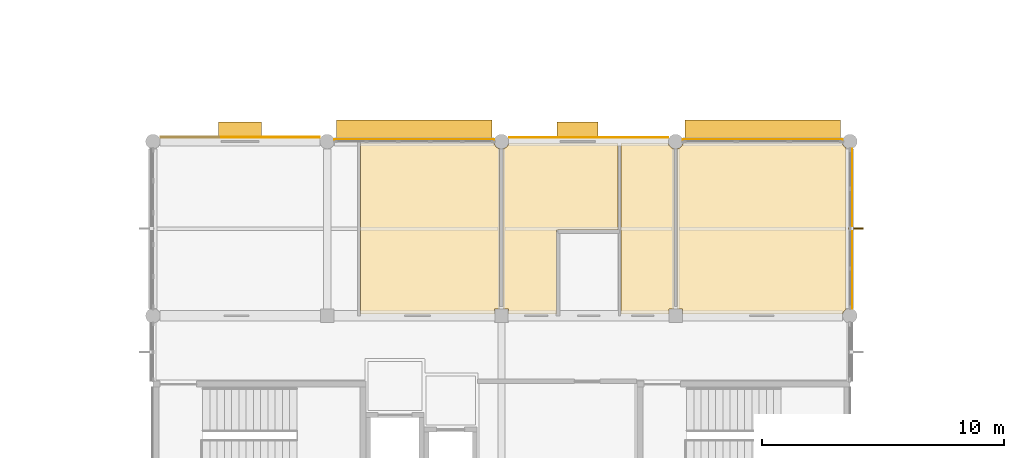
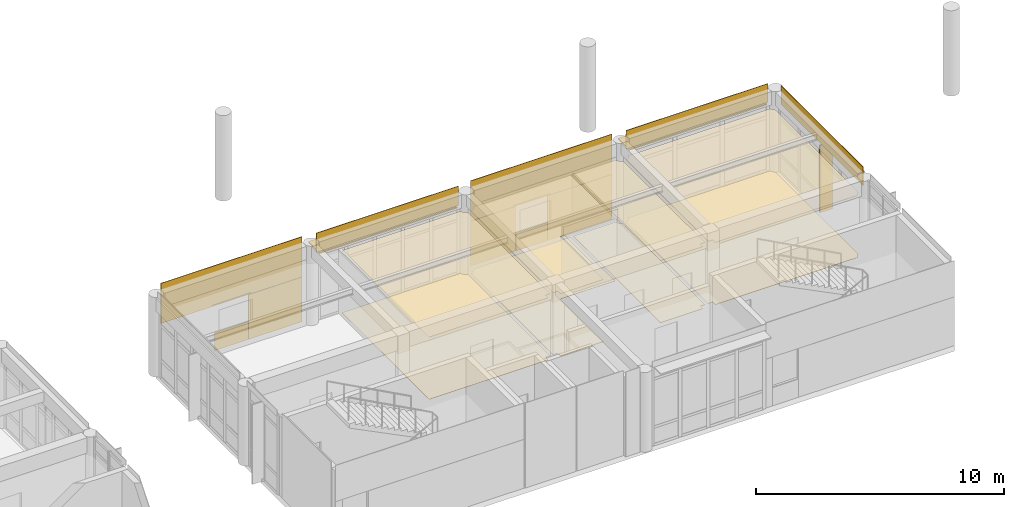
# One storey, part 29 of 29: 18 coverings, 5 shading devices.
"""IFC4 building model written with IfcOpenShell, lengths in metres."""

import ifcopenshell
import ifcopenshell.guid

model = None  # the IFC model being written
_history = None  # IfcOwnerHistory: only IFC2X3 demands one
_inside = {}  # id of a spatial element -> (the spatial element, [elements in it])
_under = {}  # id of a project, library or spatial element -> (it, [spatial elements below it])
_declared = {}  # id of a project -> (the project, [libraries it declares])
_typed = {}  # id of a type object -> (the type object, [elements of that type])
_made_of = {}  # id of a material, layer set ... -> (it, [elements and type objects made of it])


def new_model(schema):
    """Start an empty IFC model of exactly this schema.

    Asked for "IFC4X3", IfcOpenShell would pick the latest addendum, in which some entities
    have other attributes; the version numbers below select the first issue.
    IFC2X3 requires an IfcOwnerHistory on every rooted entity: one is made here for all.
    """
    global model, _history
    if schema == "IFC4X3":
        model = ifcopenshell.file(schema_version=(4, 3, 0, 0))
    else:
        model = ifcopenshell.file(schema=schema)
    _inside.clear()
    _under.clear()
    _declared.clear()
    _typed.clear()
    _made_of.clear()
    _history = None
    if model.schema == "IFC2X3":
        org = make("IfcOrganization", Name="unknown")
        user = make(
            "IfcPersonAndOrganization",
            ThePerson=make("IfcPerson", FamilyName="unknown"),
            TheOrganization=org,
        )
        app = make(
            "IfcApplication",
            ApplicationDeveloper=org,
            Version="unknown",
            ApplicationFullName="unknown",
            ApplicationIdentifier="unknown",
        )
        _history = make(
            "IfcOwnerHistory",
            OwningUser=user,
            OwningApplication=app,
            ChangeAction="ADDED",
            CreationDate=0,
        )
    return model


def make(cls, **values):
    """One entity of the class cls with the attributes given. An attribute that is None is left unset."""
    return model.create_entity(
        cls, **{name: value for name, value in values.items() if value is not None}
    )


def rooted(cls, **values):
    """An entity with a GlobalId (a new one), such as an element, a storey or a relation."""
    return make(cls, GlobalId=ifcopenshell.guid.new(), OwnerHistory=_history, **values)


def si_unit(unit_type, name, prefix=None):
    """IfcSIUnit, for example si_unit("LENGTHUNIT", "METRE", prefix="MILLI")."""
    return make("IfcSIUnit", UnitType=unit_type, Prefix=prefix, Name=name)


def assignment(units):
    """IfcUnitAssignment: the units of a project."""
    return None if units is None else make("IfcUnitAssignment", Units=units)


def point(xyz):
    """IfcCartesianPoint."""
    return None if xyz is None else make("IfcCartesianPoint", Coordinates=xyz)


def direction(xyz):
    """IfcDirection."""
    return None if xyz is None else make("IfcDirection", DirectionRatios=xyz)


def frame(location, z_axis=None, x_axis=None):
    """IfcAxis2Placement3D, a coordinate frame: its origin and axes. An axis left out is left unset."""
    return make(
        "IfcAxis2Placement3D",
        Location=point(location),
        Axis=direction(z_axis),
        RefDirection=direction(x_axis),
    )


def frame_2d(location, x_axis=None):
    """IfcAxis2Placement2D, a coordinate frame in the plane: its origin and x axis."""
    return make(
        "IfcAxis2Placement2D", Location=point(location), RefDirection=direction(x_axis)
    )


def origin():
    """The frame at (0, 0, 0) with its axes left unset."""
    return frame((0.0, 0.0, 0.0))


def origin_2d():
    """The frame at (0, 0) in the plane with its x axis left unset."""
    return frame_2d((0.0, 0.0))


def place(relative_to, where):
    """IfcLocalPlacement: puts the frame where relative to a parent placement (None: the world)."""
    return make(
        "IfcLocalPlacement", PlacementRelTo=relative_to, RelativePlacement=where
    )


def context(
    kind, dimensions, precision=None, world=None, true_north=None, identifier=None
):
    """IfcGeometricRepresentationContext, for example the 3D "Model" context."""
    return make(
        "IfcGeometricRepresentationContext",
        ContextIdentifier=identifier,
        ContextType=kind,
        CoordinateSpaceDimension=dimensions,
        Precision=precision,
        WorldCoordinateSystem=world,
        TrueNorth=true_north,
    )


def subcontext(parent, identifier, kind, view, scale=None):
    """IfcGeometricRepresentationSubContext, for example "Body" below "Model"."""
    return make(
        "IfcGeometricRepresentationSubContext",
        ContextIdentifier=identifier,
        ContextType=kind,
        ParentContext=parent,
        TargetScale=scale,
        TargetView=view,
    )


def project(units=None, contexts=None):
    """IfcProject with its units and contexts."""
    return rooted(
        "IfcProject",
        Name="project",
        RepresentationContexts=contexts,
        UnitsInContext=assignment(units),
    )


def spatial(cls, under=None, at=None, **own):
    """A site, building, storey or space (cls), placed at a placement, below another one or the project."""
    s = rooted(cls, ObjectPlacement=at, **own)
    if under is not None:
        _under.setdefault(under.id(), (under, []))[1].append(s)
    return s


def polyline(points):
    """IfcPolyline through the points."""
    return make("IfcPolyline", Points=[point(p) for p in points])


def profile(cls, at=None, kind="AREA", **sizes):
    """A parametric profile (cls). Its sizes go by their IFC names, for example OverallWidth=200.0."""
    return make(cls, ProfileType=kind, Position=at, **sizes)


def rectangle(**sizes):
    """IfcRectangleProfileDef."""
    return profile("IfcRectangleProfileDef", **sizes)


def outline(outer, holes=None, kind="AREA"):
    """IfcArbitraryClosedProfileDef: a profile drawn as a closed curve; with holes, ...WithVoids."""
    if holes is None:
        return make("IfcArbitraryClosedProfileDef", ProfileType=kind, OuterCurve=outer)
    return make(
        "IfcArbitraryProfileDefWithVoids",
        ProfileType=kind,
        OuterCurve=outer,
        InnerCurves=holes,
    )


def extrude(swept, where, along, depth):
    """IfcExtrudedAreaSolid: the profile swept, set in the frame where, extruded along a direction by depth."""
    return make(
        "IfcExtrudedAreaSolid",
        SweptArea=swept,
        Position=where,
        ExtrudedDirection=direction(along),
        Depth=depth,
    )


def shape(context_of_items, identifier, shape_type, items):
    """IfcShapeRepresentation: the items that make up one representation, for example the "Body"."""
    return make(
        "IfcShapeRepresentation",
        ContextOfItems=context_of_items,
        RepresentationIdentifier=identifier,
        RepresentationType=shape_type,
        Items=items,
    )


def material(Name=None, Category=None):
    """IfcMaterial."""
    return make("IfcMaterial", Name=Name, Category=Category)


def layer(
    of_material, thickness, ventilated=None, Name=None, Category=None, Priority=None
):
    """IfcMaterialLayer: one layer of a wall or slab, of a material (None: an air gap)."""
    return make(
        "IfcMaterialLayer",
        Material=of_material,
        LayerThickness=thickness,
        IsVentilated=ventilated,
        Name=Name,
        Category=Category,
        Priority=Priority,
    )


def layer_set(layers, Name=None):
    """IfcMaterialLayerSet."""
    return make("IfcMaterialLayerSet", MaterialLayers=layers, LayerSetName=Name)


def made_of(thing, what):
    """Note that an element or type object is made of a material, layer set ...; save() writes the relation."""
    if what is not None:
        _made_of.setdefault(what.id(), (what, []))[1].append(thing)
    return thing


def type_object(cls, material=None, **own):
    """A type object (cls), such as IfcWallType, which elements share."""
    return made_of(rooted(cls, **own), material)


def element(
    cls,
    number,
    at=None,
    inside=None,
    cuts=None,
    type_object=None,
    material=None,
    context=None,
    identifier="Body",
    shape_type=None,
    held_by="IfcProductDefinitionShape",
    body=None,
    shapes=None,
    **own,
):
    """One element of the class cls, such as IfcWall. Its Tag is "e" and its number.

    at: its placement. inside: the storey or other place that contains it. cuts: it is an
    opening in that element (IfcRelVoidsElement). A single representation is given by context,
    identifier, shape_type and body (its items); several are given by shapes. held_by: the class
    of the entity that holds the representations. save() writes the other relations.
    """
    e = rooted(cls, Tag="e%d" % number, ObjectPlacement=at, **own)
    if body is not None:
        shapes = [shape(context, identifier, shape_type, body)]
    if shapes is not None:
        e.Representation = make(held_by, Representations=shapes)
    if inside is not None:
        _inside.setdefault(inside.id(), (inside, []))[1].append(e)
    if cuts is not None:
        rooted(
            "IfcRelVoidsElement", RelatingBuildingElement=cuts, RelatedOpeningElement=e
        )
    if type_object is not None:
        _typed.setdefault(type_object.id(), (type_object, []))[1].append(e)
    return made_of(e, material)


def aggregate(whole, parts):
    """IfcRelAggregates: a whole, such as a stair, and the parts it consists of."""
    return rooted("IfcRelAggregates", RelatingObject=whole, RelatedObjects=parts)


def save(model, path):
    """Write the relations noted so far, then the file.

    IfcRelAggregates (storeys below a building ...), IfcRelContainedInSpatialStructure (elements
    in a storey), IfcRelDefinesByType, IfcRelAssociatesMaterial and IfcRelDeclares: one each for
    every whole, place, type object, material and project.
    """
    for whole, parts in _under.values():
        aggregate(whole, parts)
    for where, things in _inside.values():
        rooted(
            "IfcRelContainedInSpatialStructure",
            RelatedElements=things,
            RelatingStructure=where,
        )
    for kind, things in _typed.values():
        rooted("IfcRelDefinesByType", RelatedObjects=things, RelatingType=kind)
    for what, things in _made_of.values():
        rooted("IfcRelAssociatesMaterial", RelatedObjects=things, RelatingMaterial=what)
    for by, libraries in _declared.values():
        rooted("IfcRelDeclares", RelatingContext=by, RelatedDefinitions=libraries)
    model.write(path)


model = new_model("IFC4")

# Units and contexts
model_context = context("Model", 3, precision=1e-05, world=origin(), true_north=direction((0.0, 1.0)))
body_context = subcontext(model_context, "Body", "Model", "MODEL_VIEW")
ifc_project = project(units=[si_unit("LENGTHUNIT", "METRE"), si_unit("AREAUNIT", "SQUARE_METRE"), si_unit("VOLUMEUNIT", "CUBIC_METRE"), si_unit("PLANEANGLEUNIT", "RADIAN"), si_unit("MASSUNIT", "GRAM", prefix="KILO")], contexts=[model_context])

# Site, building, storey
site_placement = place(None, origin())
site = spatial("IfcSite", under=ifc_project, at=site_placement, CompositionType="ELEMENT")
building_placement = place(site_placement, origin())
building = spatial("IfcBuilding", under=site, at=building_placement, Name="Namkhue Oval Health Centre", CompositionType="ELEMENT")
storey_placement = place(building_placement, frame((0.0, 0.0, 18.0)))
storey = spatial("IfcBuildingStorey", under=building, at=storey_placement, Name="L04", CompositionType="ELEMENT", Elevation=18.0)

# Coverings
ifc_material_1 = material(Name="Acoustic mineral-fibre cleanroom ceiling", Category="gypsum")
ifc_layer_1 = layer(ifc_material_1, 0.02001953125)
ifc_layer_set_1 = layer_set([ifc_layer_1], Name="Acoustic mineral-fibre cleanroom ceiling")
covering_type_1 = type_object("IfcCoveringType", Name="ACOUSTIC CLEANROOM CEILING 20", PredefinedType="CEILING", material=ifc_layer_set_1)
covering_1_placement = place(storey_placement, frame((0.0, 0.0, 3.050048828125)))
element("IfcCovering", 1, at=covering_1_placement, inside=storey, type_object=covering_type_1, Name="Acoustic Ceiling L04-302 On Call Duty Room", PredefinedType="CEILING", context=body_context, shape_type="SweptSolid", body=[
    extrude(outline(polyline([(102.18310546875, 97.280029296875), (102.18310546875, 104.31494140625), (107.702392578125, 104.31494140625), (107.7314453125, 104.2451171875), (107.78076171875, 104.180908203125), (107.844970703125, 104.131591796875), (107.919921875, 104.1005859375), (107.929931640625, 104.09912109375), (107.929931640625, 97.485107421875), (107.715087890625, 97.485107421875), (107.715087890625, 97.280029296875), (102.18310546875, 97.280029296875)])), origin(), (0.0, 0.0, 1.0), 0.02001953125),
])
covering_2_placement = place(storey_placement, frame((0.0, 0.0, 3.050048828125)))
element("IfcCovering", 2, at=covering_2_placement, inside=storey, type_object=covering_type_1, Name="Acoustic Ceiling L04-303 Staff Pantry and Clean Utility", PredefinedType="CEILING", context=body_context, shape_type="SweptSolid", body=[
    extrude(outline(polyline([(112.820068359375, 104.31494140625), (112.820068359375, 100.739990234375), (110.280029296875, 100.739990234375), (110.280029296875, 97.280029296875), (108.284912109375, 97.280029296875), (108.284912109375, 97.485107421875), (108.070068359375, 97.485107421875), (108.070068359375, 104.09912109375), (108.080078125, 104.1005859375), (108.155029296875, 104.131591796875), (108.21923828125, 104.180908203125), (108.2685546875, 104.2451171875), (108.297607421875, 104.31494140625), (112.820068359375, 104.31494140625)])), origin(), (0.0, 0.0, 1.0), 0.02001953125),
])
covering_3_placement = place(storey_placement, frame((0.0, 0.0, 3.050048828125)))
element("IfcCovering", 3, at=covering_3_placement, inside=storey, type_object=covering_type_1, Name="Acoustic Ceiling L04-305 Staff Washroom", PredefinedType="CEILING", context=body_context, shape_type="SweptSolid", body=[
    extrude(outline(polyline([(112.93994140625, 97.280029296875), (112.93994140625, 104.31494140625), (114.902587890625, 104.31494140625), (114.931396484375, 104.2451171875), (114.980712890625, 104.180908203125), (115.044921875, 104.131591796875), (115.119873046875, 104.1005859375), (115.1298828125, 104.09912109375), (115.1298828125, 97.485107421875), (114.9150390625, 97.485107421875), (114.9150390625, 97.280029296875), (112.93994140625, 97.280029296875)])), origin(), (0.0, 0.0, 1.0), 0.02001953125),
])
covering_4_placement = place(storey_placement, frame((0.0, 0.0, 3.050048828125)))
element("IfcCovering", 4, at=covering_4_placement, inside=storey, type_object=covering_type_1, Name="Acoustic Ceiling L04-306 Health Education Terrace Lounge", PredefinedType="CEILING", context=body_context, shape_type="SweptSolid", body=[
    extrude(outline(polyline([(115.485107421875, 97.280029296875), (115.485107421875, 97.485107421875), (115.27001953125, 97.485107421875), (115.27001953125, 104.09912109375), (115.2802734375, 104.1005859375), (115.35498046875, 104.131591796875), (115.419189453125, 104.180908203125), (115.468505859375, 104.2451171875), (115.49755859375, 104.31494140625), (122.1025390625, 104.31494140625), (122.131591796875, 104.2451171875), (122.180908203125, 104.180908203125), (122.2451171875, 104.131591796875), (122.2451171875, 97.468505859375), (122.180908203125, 97.419189453125), (122.131591796875, 97.35498046875), (122.1005859375, 97.280029296875), (115.485107421875, 97.280029296875)])), origin(), (0.0, 0.0, 1.0), 0.02001953125),
])
ifc_material_2 = material(Name="Homogeneous anti-bacterial clinical vinyl flooring", Category="plastic")
ifc_layer_2 = layer(ifc_material_2, 0.014892578125)
ifc_layer_set_2 = layer_set([ifc_layer_2], Name="Homogeneous anti-bacterial clinical vinyl flooring")
covering_type_2 = type_object("IfcCoveringType", Name="CLINICAL ANTIBACTERIAL VINYL FLOORING 15", PredefinedType="FLOORING", material=ifc_layer_set_2)
covering_5_placement = place(storey_placement, origin())
element("IfcCovering", 5, at=covering_5_placement, inside=storey, type_object=covering_type_2, Name="Clinical Flooring L04-302 On Call Duty Room", PredefinedType="FLOORING", context=body_context, shape_type="SweptSolid", body=[
    extrude(outline(polyline([(102.18310546875, 97.280029296875), (102.18310546875, 104.31494140625), (107.702392578125, 104.31494140625), (107.7314453125, 104.2451171875), (107.78076171875, 104.180908203125), (107.844970703125, 104.131591796875), (107.919921875, 104.1005859375), (107.929931640625, 104.09912109375), (107.929931640625, 97.485107421875), (107.715087890625, 97.485107421875), (107.715087890625, 97.280029296875), (102.18310546875, 97.280029296875)])), origin(), (0.0, 0.0, 1.0), 0.014892578125),
])
covering_6_placement = place(storey_placement, origin())
element("IfcCovering", 6, at=covering_6_placement, inside=storey, type_object=covering_type_2, Name="Clinical Flooring L04-303 Staff Pantry and Clean Utility", PredefinedType="FLOORING", context=body_context, shape_type="SweptSolid", body=[
    extrude(outline(polyline([(112.820068359375, 104.31494140625), (112.820068359375, 100.739990234375), (110.280029296875, 100.739990234375), (110.280029296875, 97.280029296875), (108.284912109375, 97.280029296875), (108.284912109375, 97.485107421875), (108.070068359375, 97.485107421875), (108.070068359375, 104.09912109375), (108.080078125, 104.1005859375), (108.155029296875, 104.131591796875), (108.21923828125, 104.180908203125), (108.2685546875, 104.2451171875), (108.297607421875, 104.31494140625), (112.820068359375, 104.31494140625)])), origin(), (0.0, 0.0, 1.0), 0.014892578125),
])
covering_7_placement = place(storey_placement, origin())
element("IfcCovering", 7, at=covering_7_placement, inside=storey, type_object=covering_type_2, Name="Clinical Flooring L04-305 Staff Washroom", PredefinedType="FLOORING", context=body_context, shape_type="SweptSolid", body=[
    extrude(outline(polyline([(112.93994140625, 97.280029296875), (112.93994140625, 104.31494140625), (114.902587890625, 104.31494140625), (114.931396484375, 104.2451171875), (114.980712890625, 104.180908203125), (115.044921875, 104.131591796875), (115.119873046875, 104.1005859375), (115.1298828125, 104.09912109375), (115.1298828125, 97.485107421875), (114.9150390625, 97.485107421875), (114.9150390625, 97.280029296875), (112.93994140625, 97.280029296875)])), origin(), (0.0, 0.0, 1.0), 0.014892578125),
])
covering_8_placement = place(storey_placement, origin())
element("IfcCovering", 8, at=covering_8_placement, inside=storey, type_object=covering_type_2, Name="Clinical Flooring L04-306 Health Education Terrace Lounge", PredefinedType="FLOORING", context=body_context, shape_type="SweptSolid", body=[
    extrude(outline(polyline([(115.485107421875, 97.280029296875), (115.485107421875, 97.485107421875), (115.27001953125, 97.485107421875), (115.27001953125, 104.09912109375), (115.2802734375, 104.1005859375), (115.35498046875, 104.131591796875), (115.419189453125, 104.180908203125), (115.468505859375, 104.2451171875), (115.49755859375, 104.31494140625), (122.1025390625, 104.31494140625), (122.131591796875, 104.2451171875), (122.180908203125, 104.180908203125), (122.2451171875, 104.131591796875), (122.2451171875, 97.468505859375), (122.180908203125, 97.419189453125), (122.131591796875, 97.35498046875), (122.1005859375, 97.280029296875), (115.485107421875, 97.280029296875)])), origin(), (0.0, 0.0, 1.0), 0.014892578125),
])

# Shading devices
ifc_material_3 = material(Name="Anodised aluminium EN AW-6063 T6", Category="aluminium")
ifc_layer_3 = layer(ifc_material_3, 0.06005859375)
ifc_layer_set_3 = layer_set([ifc_layer_3], Name="Anodised aluminium EN AW-6063 T6")
shading_device_type_1 = type_object("IfcShadingDeviceType", Name="MONSOON SUN LOUVRE 900", PredefinedType="JALOUSIE", material=ifc_layer_set_3)
for number, where, z_axis, x_axis, name in (
    (9, (118.800048828125, 104.85009765625, 3.23193359375), (0.0, 0.0, 1.0), (-1.0, 0.0, 0.0), "Volume V3 L04 Horizontal Monsoon Sun Louvre 166"),
    (10, (104.39990234375, 104.85009765625, 3.195068359375), (0.0, 0.0, 1.0), (-1.0, 0.0, 0.0), "Volume V3 L04 Horizontal Monsoon Sun Louvre 168"),
):
    element("IfcShadingDevice", number, at=place(storey_placement, frame(where, z_axis=z_axis, x_axis=x_axis)), inside=storey, type_object=shading_device_type_1, Name=name, PredefinedType="JALOUSIE", context=body_context, shape_type="SweptSolid", body=[
        extrude(rectangle(XDim=6.409912109375, YDim=0.89990234375, at=origin_2d()), origin(), (0.0, 0.0, 1.0), 0.06005859375),
    ])
ifc_layer_4 = layer(ifc_material_3, 0.050048828125)
ifc_layer_set_4 = layer_set([ifc_layer_4], Name="Anodised aluminium EN AW-6063 T6")
shading_device_type_2 = type_object("IfcShadingDeviceType", Name="STORM SHUTTER LOUVRE 650", PredefinedType="SHUTTER", material=ifc_layer_set_4)
shading_device_1_placement = place(storey_placement, frame((111.14990234375, 104.875, 2.219970703125), z_axis=(0.0, 0.0, 1.0), x_axis=(-1.0, 0.0, 0.0)))
element("IfcShadingDevice", 11, at=shading_device_1_placement, inside=storey, type_object=shading_device_type_2, Name="Volume V3 L04 Window Monsoon Louvre 167", PredefinedType="SHUTTER", context=body_context, shape_type="SweptSolid", body=[
    extrude(rectangle(XDim=1.68994140625, YDim=0.64990234375, at=origin_2d()), origin(), (0.0, 0.0, 1.0), 0.06005859375),
])
shading_device_2_placement = place(storey_placement, frame((97.199951171875, 104.8798828125, 2.219970703125), z_axis=(0.0, 0.0, 1.0), x_axis=(-1.0, 0.0, 0.0)))
element("IfcShadingDevice", 12, at=shading_device_2_placement, inside=storey, type_object=shading_device_type_2, Name="Volume V3 L04 Window Monsoon Louvre 169", PredefinedType="SHUTTER", context=body_context, shape_type="SweptSolid", body=[
    extrude(rectangle(XDim=1.7900390625, YDim=0.64990234375, at=origin_2d()), origin(), (0.0, 0.0, 1.0), 0.06005859375),
])
shading_device_type_3 = type_object("IfcShadingDeviceType", Name="VERTICAL SOLAR FIN 600", PredefinedType="USERDEFINED", material=ifc_material_3)
shading_device_3_placement = place(storey_placement, frame((122.659912109375, 100.800048828125, 0.0), z_axis=(0.0, 0.0, 1.0), x_axis=(1.0, 0.0, 0.0)))
element("IfcShadingDevice", 13, at=shading_device_3_placement, inside=storey, type_object=shading_device_type_3, Name="Volume V3 L04 Extruded Aluminium Solar Fin 165", ObjectType="SOLAR FIN", PredefinedType="USERDEFINED", context=body_context, shape_type="SweptSolid", body=[
    extrude(rectangle(XDim=0.60009765625, YDim=0.06005859375, at=origin_2d()), origin(), (0.0, 0.0, 1.0), 3.302001953125),
])

# Coverings
ifc_material_4 = material(Name="White glass-fibre reinforced concrete GRC rainscreen cladding", Category="concrete")
ifc_layer_5 = layer(ifc_material_4, 0.02490234375)
ifc_layer_set_5 = layer_set([ifc_layer_5], Name="White glass-fibre reinforced concrete GRC rainscreen cladding")
covering_type_3 = type_object("IfcCoveringType", Name="WHITE GRC RAINSCREEN CLADDING 25", PredefinedType="CLADDING", material=ifc_layer_set_5)
for number, where, z_axis, x_axis, name in (
    (14, (122.488525390625, 100.800048828125, 3.286865234375), (0.0, 0.0, 1.0), (0.0, 1.0, 0.0), "Volume V3 L04 Curtain Wall Spandrel Cladding 125"),
    (15, (118.800048828125, 104.488525390625, 3.286865234375), (0.0, 0.0, 1.0), (-1.0, 0.0, 0.0), "Volume V3 L04 Curtain Wall Spandrel Cladding 126"),
):
    element("IfcCovering", number, at=place(storey_placement, frame(where, z_axis=z_axis, x_axis=x_axis)), inside=storey, type_object=covering_type_3, Name=name, PredefinedType="CLADDING", context=body_context, shape_type="SweptSolid", body=[
        extrude(rectangle(XDim=6.60009765625, YDim=0.02490234375, at=origin_2d()), origin(), (0.0, 0.0, 1.0), 0.9130859375),
    ])
covering_9_placement = place(storey_placement, frame((111.60009765625, 104.572021484375, 2.21484375), z_axis=(0.0, 0.0, 1.0), x_axis=(-1.0, 0.0, 0.0)))
element("IfcCovering", 16, at=covering_9_placement, inside=storey, type_object=covering_type_3, Name="Volume V3 L04 Facade 79 White GRC Cladding 1", PredefinedType="CLADDING", context=body_context, shape_type="SweptSolid", body=[
    extrude(rectangle(XDim=6.570068359375, YDim=0.02490234375, at=origin_2d()), origin(), (0.0, 0.0, 1.0), 1.97509765625),
])
covering_10_placement = place(storey_placement, frame((113.387451171875, 104.572021484375, 0.01025390625), z_axis=(0.0, 0.0, 1.0), x_axis=(-1.0, 0.0, 0.0)))
element("IfcCovering", 17, at=covering_10_placement, inside=storey, type_object=covering_type_3, Name="Volume V3 L04 Facade 79 White GRC Cladding 2", PredefinedType="CLADDING", context=body_context, shape_type="SweptSolid", body=[
    extrude(rectangle(XDim=2.9951171875, YDim=0.02490234375, at=origin_2d()), origin(), (0.0, 0.0, 1.0), 2.199951171875),
])
covering_11_placement = place(storey_placement, frame((111.14990234375, 104.572021484375, 0.010009765625), z_axis=(0.0, 0.0, 1.0), x_axis=(-1.0, 0.0, 0.0)))
element("IfcCovering", 18, at=covering_11_placement, inside=storey, type_object=covering_type_3, Name="Volume V3 L04 Facade 79 White GRC Cladding 3", PredefinedType="CLADDING", context=body_context, shape_type="SweptSolid", body=[
    extrude(rectangle(XDim=1.469970703125, YDim=0.02490234375, at=origin_2d()), origin(), (0.0, 0.0, 1.0), 0.875),
])
covering_12_placement = place(storey_placement, frame((109.362548828125, 104.572021484375, 0.01025390625), z_axis=(0.0, 0.0, 1.0), x_axis=(-1.0, 0.0, 0.0)))
element("IfcCovering", 19, at=covering_12_placement, inside=storey, type_object=covering_type_3, Name="Volume V3 L04 Facade 79 White GRC Cladding 4", PredefinedType="CLADDING", context=body_context, shape_type="SweptSolid", body=[
    extrude(rectangle(XDim=2.094970703125, YDim=0.02490234375, at=origin_2d()), origin(), (0.0, 0.0, 1.0), 2.199951171875),
])
covering_13_placement = place(storey_placement, frame((104.39990234375, 104.488525390625, 3.25), z_axis=(0.0, 0.0, 1.0), x_axis=(-1.0, 0.0, 0.0)))
element("IfcCovering", 20, at=covering_13_placement, inside=storey, type_object=covering_type_3, Name="Volume V3 L04 Curtain Wall Spandrel Cladding 127", PredefinedType="CLADDING", context=body_context, shape_type="SweptSolid", body=[
    extrude(rectangle(XDim=6.60009765625, YDim=0.02490234375, at=origin_2d()), origin(), (0.0, 0.0, 1.0), 0.949951171875),
])
covering_14_placement = place(storey_placement, frame((97.199951171875, 104.576904296875, 2.21484375), z_axis=(0.0, 0.0, 1.0), x_axis=(-1.0, 0.0, 0.0)))
element("IfcCovering", 21, at=covering_14_placement, inside=storey, type_object=covering_type_3, Name="Volume V3 L04 Facade 80 White GRC Cladding 1", PredefinedType="CLADDING", context=body_context, shape_type="SweptSolid", body=[
    extrude(rectangle(XDim=6.570068359375, YDim=0.02490234375, at=origin_2d()), origin(), (0.0, 0.0, 1.0), 1.97509765625),
])
covering_15_placement = place(storey_placement, frame((99.237548828125, 104.576904296875, 0.01025390625), z_axis=(0.0, 0.0, 1.0), x_axis=(-1.0, 0.0, 0.0)))
element("IfcCovering", 22, at=covering_15_placement, inside=storey, type_object=covering_type_3, Name="Volume V3 L04 Facade 80 White GRC Cladding 2", PredefinedType="CLADDING", context=body_context, shape_type="SweptSolid", body=[
    extrude(rectangle(XDim=2.4951171875, YDim=0.02490234375, at=origin_2d()), origin(), (0.0, 0.0, 1.0), 2.199951171875),
])
covering_16_placement = place(storey_placement, frame((97.199951171875, 104.576904296875, 0.010009765625), z_axis=(0.0, 0.0, 1.0), x_axis=(-1.0, 0.0, 0.0)))
element("IfcCovering", 23, at=covering_16_placement, inside=storey, type_object=covering_type_3, Name="Volume V3 L04 Facade 80 White GRC Cladding 3", PredefinedType="CLADDING", context=body_context, shape_type="SweptSolid", body=[
    extrude(rectangle(XDim=1.570068359375, YDim=0.02490234375, at=origin_2d()), origin(), (0.0, 0.0, 1.0), 0.875),
])

save(model, "model.ifc")
